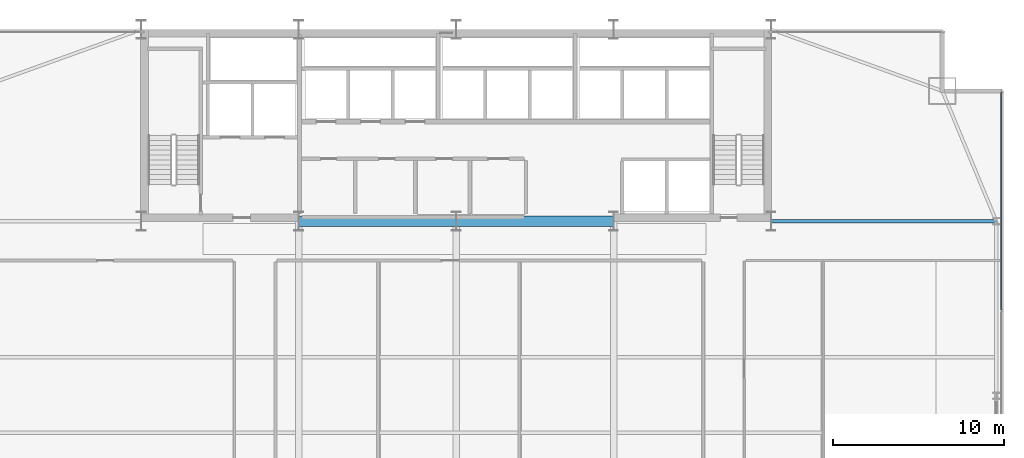
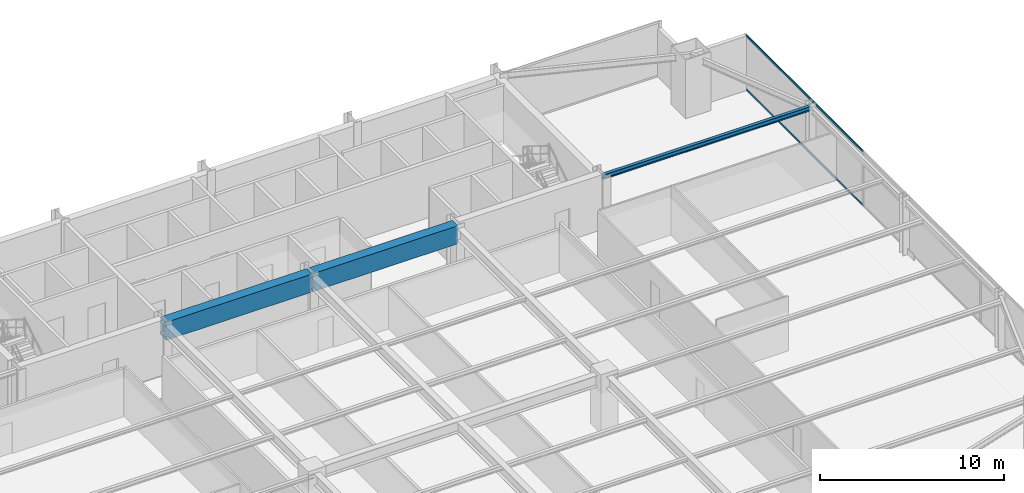
# One storey, part 21 of 31: 3 beams, 2 members, 1 element without a shape of its own.
"""IFC4 building model written with IfcOpenShell, lengths in metres."""

import ifcopenshell
import ifcopenshell.guid

model = None  # the IFC model being written
_history = None  # IfcOwnerHistory: only IFC2X3 demands one
_inside = {}  # id of a spatial element -> (the spatial element, [elements in it])
_under = {}  # id of a project, library or spatial element -> (it, [spatial elements below it])
_declared = {}  # id of a project -> (the project, [libraries it declares])
_typed = {}  # id of a type object -> (the type object, [elements of that type])
_made_of = {}  # id of a material, layer set ... -> (it, [elements and type objects made of it])


def new_model(schema):
    """Start an empty IFC model of exactly this schema.

    Asked for "IFC4X3", IfcOpenShell would pick the latest addendum, in which some entities
    have other attributes; the version numbers below select the first issue.
    IFC2X3 requires an IfcOwnerHistory on every rooted entity: one is made here for all.
    """
    global model, _history
    if schema == "IFC4X3":
        model = ifcopenshell.file(schema_version=(4, 3, 0, 0))
    else:
        model = ifcopenshell.file(schema=schema)
    _inside.clear()
    _under.clear()
    _declared.clear()
    _typed.clear()
    _made_of.clear()
    _history = None
    if model.schema == "IFC2X3":
        org = make("IfcOrganization", Name="unknown")
        user = make(
            "IfcPersonAndOrganization",
            ThePerson=make("IfcPerson", FamilyName="unknown"),
            TheOrganization=org,
        )
        app = make(
            "IfcApplication",
            ApplicationDeveloper=org,
            Version="unknown",
            ApplicationFullName="unknown",
            ApplicationIdentifier="unknown",
        )
        _history = make(
            "IfcOwnerHistory",
            OwningUser=user,
            OwningApplication=app,
            ChangeAction="ADDED",
            CreationDate=0,
        )
    return model


def make(cls, **values):
    """One entity of the class cls with the attributes given. An attribute that is None is left unset."""
    return model.create_entity(
        cls, **{name: value for name, value in values.items() if value is not None}
    )


def rooted(cls, **values):
    """An entity with a GlobalId (a new one), such as an element, a storey or a relation."""
    return make(cls, GlobalId=ifcopenshell.guid.new(), OwnerHistory=_history, **values)


def si_unit(unit_type, name, prefix=None):
    """IfcSIUnit, for example si_unit("LENGTHUNIT", "METRE", prefix="MILLI")."""
    return make("IfcSIUnit", UnitType=unit_type, Prefix=prefix, Name=name)


def assignment(units):
    """IfcUnitAssignment: the units of a project."""
    return None if units is None else make("IfcUnitAssignment", Units=units)


def point(xyz):
    """IfcCartesianPoint."""
    return None if xyz is None else make("IfcCartesianPoint", Coordinates=xyz)


def direction(xyz):
    """IfcDirection."""
    return None if xyz is None else make("IfcDirection", DirectionRatios=xyz)


def frame(location, z_axis=None, x_axis=None):
    """IfcAxis2Placement3D, a coordinate frame: its origin and axes. An axis left out is left unset."""
    return make(
        "IfcAxis2Placement3D",
        Location=point(location),
        Axis=direction(z_axis),
        RefDirection=direction(x_axis),
    )


def frame_2d(location, x_axis=None):
    """IfcAxis2Placement2D, a coordinate frame in the plane: its origin and x axis."""
    return make(
        "IfcAxis2Placement2D", Location=point(location), RefDirection=direction(x_axis)
    )


def origin():
    """The frame at (0, 0, 0) with its axes left unset."""
    return frame((0.0, 0.0, 0.0))


def origin_2d():
    """The frame at (0, 0) in the plane with its x axis left unset."""
    return frame_2d((0.0, 0.0))


def place(relative_to, where):
    """IfcLocalPlacement: puts the frame where relative to a parent placement (None: the world)."""
    return make(
        "IfcLocalPlacement", PlacementRelTo=relative_to, RelativePlacement=where
    )


def context(
    kind, dimensions, precision=None, world=None, true_north=None, identifier=None
):
    """IfcGeometricRepresentationContext, for example the 3D "Model" context."""
    return make(
        "IfcGeometricRepresentationContext",
        ContextIdentifier=identifier,
        ContextType=kind,
        CoordinateSpaceDimension=dimensions,
        Precision=precision,
        WorldCoordinateSystem=world,
        TrueNorth=true_north,
    )


def subcontext(parent, identifier, kind, view, scale=None):
    """IfcGeometricRepresentationSubContext, for example "Body" below "Model"."""
    return make(
        "IfcGeometricRepresentationSubContext",
        ContextIdentifier=identifier,
        ContextType=kind,
        ParentContext=parent,
        TargetScale=scale,
        TargetView=view,
    )


def project(units=None, contexts=None):
    """IfcProject with its units and contexts."""
    return rooted(
        "IfcProject",
        Name="project",
        RepresentationContexts=contexts,
        UnitsInContext=assignment(units),
    )


def spatial(cls, under=None, at=None, **own):
    """A site, building, storey or space (cls), placed at a placement, below another one or the project."""
    s = rooted(cls, ObjectPlacement=at, **own)
    if under is not None:
        _under.setdefault(under.id(), (under, []))[1].append(s)
    return s


def profile(cls, at=None, kind="AREA", **sizes):
    """A parametric profile (cls). Its sizes go by their IFC names, for example OverallWidth=200.0."""
    return make(cls, ProfileType=kind, Position=at, **sizes)


def rectangle(**sizes):
    """IfcRectangleProfileDef."""
    return profile("IfcRectangleProfileDef", **sizes)


def hollow_rectangle(**sizes):
    """IfcRectangleHollowProfileDef."""
    return profile("IfcRectangleHollowProfileDef", **sizes)


def i_section(**sizes):
    """IfcIShapeProfileDef."""
    return profile("IfcIShapeProfileDef", **sizes)


def extrude(swept, where, along, depth):
    """IfcExtrudedAreaSolid: the profile swept, set in the frame where, extruded along a direction by depth."""
    return make(
        "IfcExtrudedAreaSolid",
        SweptArea=swept,
        Position=where,
        ExtrudedDirection=direction(along),
        Depth=depth,
    )


def shape(context_of_items, identifier, shape_type, items):
    """IfcShapeRepresentation: the items that make up one representation, for example the "Body"."""
    return make(
        "IfcShapeRepresentation",
        ContextOfItems=context_of_items,
        RepresentationIdentifier=identifier,
        RepresentationType=shape_type,
        Items=items,
    )


def source(mapping_origin, context_of_items, identifier, shape_type, items):
    """IfcRepresentationMap: a shape defined once, which mapped items show again and again."""
    return make(
        "IfcRepresentationMap",
        MappingOrigin=mapping_origin,
        MappedRepresentation=shape(context_of_items, identifier, shape_type, items),
    )


def transform(
    local_origin,
    x_axis=None,
    y_axis=None,
    z_axis=None,
    scale=None,
    scale2=None,
    scale3=None,
    uniform=True,
):
    """IfcCartesianTransformationOperator3D, or its non-uniform kind. x_axis, y_axis, z_axis: its Axis1, 2, 3."""
    if uniform:
        return make(
            "IfcCartesianTransformationOperator3D",
            Axis1=direction(x_axis),
            Axis2=direction(y_axis),
            LocalOrigin=point(local_origin),
            Scale=scale,
            Axis3=direction(z_axis),
        )
    return make(
        "IfcCartesianTransformationOperator3DnonUniform",
        Axis1=direction(x_axis),
        Axis2=direction(y_axis),
        LocalOrigin=point(local_origin),
        Scale=scale,
        Axis3=direction(z_axis),
        Scale2=scale2,
        Scale3=scale3,
    )


def mapped(mapping_source, mapping_target):
    """IfcMappedItem: shows the shape of a source again, moved by a transform."""
    return make(
        "IfcMappedItem", MappingSource=mapping_source, MappingTarget=mapping_target
    )


def material(Name=None, Category=None):
    """IfcMaterial."""
    return make("IfcMaterial", Name=Name, Category=Category)


def layer(
    of_material, thickness, ventilated=None, Name=None, Category=None, Priority=None
):
    """IfcMaterialLayer: one layer of a wall or slab, of a material (None: an air gap)."""
    return make(
        "IfcMaterialLayer",
        Material=of_material,
        LayerThickness=thickness,
        IsVentilated=ventilated,
        Name=Name,
        Category=Category,
        Priority=Priority,
    )


def layer_set(layers, Name=None):
    """IfcMaterialLayerSet."""
    return make("IfcMaterialLayerSet", MaterialLayers=layers, LayerSetName=Name)


def material_profile(
    of_material, cross_section, Name=None, Category=None, Priority=None
):
    """IfcMaterialProfile: a cross section and its material."""
    return make(
        "IfcMaterialProfile",
        Name=Name,
        Material=of_material,
        Profile=cross_section,
        Priority=Priority,
        Category=Category,
    )


def profile_set(profiles, Name=None, composite=None):
    """IfcMaterialProfileSet."""
    return make(
        "IfcMaterialProfileSet",
        Name=Name,
        MaterialProfiles=profiles,
        CompositeProfile=composite,
    )


def made_of(thing, what):
    """Note that an element or type object is made of a material, layer set ...; save() writes the relation."""
    if what is not None:
        _made_of.setdefault(what.id(), (what, []))[1].append(thing)
    return thing


def type_object(cls, material=None, **own):
    """A type object (cls), such as IfcWallType, which elements share."""
    return made_of(rooted(cls, **own), material)


def type_shapes(of_type, sources):
    """Give a type object the sources (RepresentationMaps) that its elements show as mapped items."""
    of_type.RepresentationMaps = sources


def element(
    cls,
    number,
    at=None,
    inside=None,
    cuts=None,
    type_object=None,
    material=None,
    context=None,
    identifier="Body",
    shape_type=None,
    held_by="IfcProductDefinitionShape",
    body=None,
    shapes=None,
    **own,
):
    """One element of the class cls, such as IfcWall. Its Tag is "e" and its number.

    at: its placement. inside: the storey or other place that contains it. cuts: it is an
    opening in that element (IfcRelVoidsElement). A single representation is given by context,
    identifier, shape_type and body (its items); several are given by shapes. held_by: the class
    of the entity that holds the representations. save() writes the other relations.
    """
    e = rooted(cls, Tag="e%d" % number, ObjectPlacement=at, **own)
    if body is not None:
        shapes = [shape(context, identifier, shape_type, body)]
    if shapes is not None:
        e.Representation = make(held_by, Representations=shapes)
    if inside is not None:
        _inside.setdefault(inside.id(), (inside, []))[1].append(e)
    if cuts is not None:
        rooted(
            "IfcRelVoidsElement", RelatingBuildingElement=cuts, RelatedOpeningElement=e
        )
    if type_object is not None:
        _typed.setdefault(type_object.id(), (type_object, []))[1].append(e)
    return made_of(e, material)


def aggregate(whole, parts):
    """IfcRelAggregates: a whole, such as a stair, and the parts it consists of."""
    return rooted("IfcRelAggregates", RelatingObject=whole, RelatedObjects=parts)


def save(model, path):
    """Write the relations noted so far, then the file.

    IfcRelAggregates (storeys below a building ...), IfcRelContainedInSpatialStructure (elements
    in a storey), IfcRelDefinesByType, IfcRelAssociatesMaterial and IfcRelDeclares: one each for
    every whole, place, type object, material and project.
    """
    for whole, parts in _under.values():
        aggregate(whole, parts)
    for where, things in _inside.values():
        rooted(
            "IfcRelContainedInSpatialStructure",
            RelatedElements=things,
            RelatingStructure=where,
        )
    for kind, things in _typed.values():
        rooted("IfcRelDefinesByType", RelatedObjects=things, RelatingType=kind)
    for what, things in _made_of.values():
        rooted("IfcRelAssociatesMaterial", RelatedObjects=things, RelatingMaterial=what)
    for by, libraries in _declared.values():
        rooted("IfcRelDeclares", RelatingContext=by, RelatedDefinitions=libraries)
    model.write(path)


model = new_model("IFC4")

# Units and contexts
model_context = context("Model", 3, precision=1e-05, world=origin(), true_north=direction((0.0, 1.0)))
body_context = subcontext(model_context, "Body", "Model", "MODEL_VIEW")
ifc_project = project(units=[si_unit("LENGTHUNIT", "METRE"), si_unit("AREAUNIT", "SQUARE_METRE"), si_unit("VOLUMEUNIT", "CUBIC_METRE"), si_unit("PLANEANGLEUNIT", "RADIAN"), si_unit("MASSUNIT", "GRAM", prefix="KILO")], contexts=[model_context])

# Site, building, storey
site_placement = place(None, origin())
site = spatial("IfcSite", under=ifc_project, at=site_placement, CompositionType="ELEMENT")
building_placement = place(site_placement, origin())
building = spatial("IfcBuilding", under=site, at=building_placement, Name="Varnel Quay Broadcast Tower", CompositionType="ELEMENT")
storey_placement = place(building_placement, frame((0.0, 0.0, 35.39990234375)))
storey = spatial("IfcBuildingStorey", under=building, at=storey_placement, Name="L07", CompositionType="ELEMENT", Elevation=35.39990234375)

# Beams
ifc_material_1 = material(Name="Concrete CSA A23.3 C60/75", Category="concrete")
ifc_material_profile_1 = material_profile(ifc_material_1, rectangle(XDim=0.60009765625, YDim=1.199951171875, at=origin_2d()), Name="RC600X1200")
ifc_profile_set_1 = profile_set([ifc_material_profile_1], Name="Concrete CSA A23.3 C60/75")
beam_type_1 = type_object("IfcBeamType", Name="Beam_RC600X1200", PredefinedType="BEAM", material=ifc_profile_set_1)
shared_shape_1 = source(origin(), body_context, "Body", "SweptSolid", [
    extrude(rectangle(XDim=0.60009765625, YDim=1.199951171875, at=origin_2d()), origin(), (0.0, 0.0, 1.0), 9.159912109375),
])
type_shapes(beam_type_1, [shared_shape_1])
for number, where, z_axis, x_axis, name in (
    (1, (24.820068359375, 35.60009765625, 3.050048828125), (1.0, 0.0, 0.0), (0.0, 1.0, 0.0), "L07 Core Coupling Beam W"),
    (2, (34.02001953125, 35.60009765625, 3.050048828125), (1.0, 0.0, 0.0), (0.0, 1.0, 0.0), "L07 Core Coupling Beam E"),
):
    element("IfcBeam", number, at=place(storey_placement, frame(where, z_axis=z_axis, x_axis=x_axis)), inside=storey, type_object=beam_type_1, Name=name, PredefinedType="BEAM", context=body_context, shape_type="MappedRepresentation", body=[
        mapped(shared_shape_1, transform((0.0, 0.0, 0.0), x_axis=(1.0, 0.0, 0.0), y_axis=(0.0, 1.0, 0.0), z_axis=(0.0, 0.0, 1.0), scale=1.0)),
    ])
ifc_material_2 = material(Name="Structural Steel CSA G40.21 350W", Category="steel")
ifc_material_profile_2 = material_profile(ifc_material_2, i_section(OverallWidth=0.202880859375, OverallDepth=0.302978515625, WebThickness=0.007568359375, FlangeThickness=0.01318359375, FilletRadius=0.011962890625, at=origin_2d()), Name="W310X60")
ifc_profile_set_2 = profile_set([ifc_material_profile_2], Name="Structural Steel CSA G40.21 350W")
beam_type_2 = type_object("IfcBeamType", Name="Beam_W310X60", PredefinedType="JOIST", material=ifc_profile_set_2)
shared_shape_2 = source(origin(), body_context, "Body", "SweptSolid", [
    extrude(i_section(OverallWidth=0.202880859375, OverallDepth=0.302978515625, WebThickness=0.007568359375, FlangeThickness=0.01318359375, FilletRadius=0.011962890625, at=origin_2d()), origin(), (0.0, 0.0, 1.0), 13.110107421875),
])
type_shapes(beam_type_2, [shared_shape_2])
beam_placement = place(storey_placement, frame((52.419921875, 35.60009765625, 3.49853515625), z_axis=(1.0, 0.0, 0.0), x_axis=(0.0, 1.0, 0.0)))
element("IfcBeam", 3, at=beam_placement, inside=storey, type_object=beam_type_2, Name="L07 East Core Tie Joist", PredefinedType="JOIST", context=body_context, shape_type="MappedRepresentation", body=[
    mapped(shared_shape_2, transform((0.0, 0.0, 0.0), x_axis=(1.0, 0.0, 0.0), y_axis=(0.0, 1.0, 0.0), z_axis=(0.0, 0.0, 1.0), scale=1.0)),
])

# Curtain wall, members
ifc_material_3 = material(Name="Anodised Bronze Aluminium 6063-T6", Category="aluminium")
ifc_layer = layer(ifc_material_3, 0.18994140625, Name="Anodised Bronze Aluminium 6063-T6")
ifc_layer_set = layer_set([ifc_layer], Name="Anodised Bronze Aluminium 6063-T6")
curtain_wall_type = type_object("IfcCurtainWallType", Name="CW_LowerTower", PredefinedType="NOTDEFINED", material=ifc_layer_set)
curtain_wall_placement = place(storey_placement, origin())
curtain_wall = element("IfcCurtainWall", 4, at=curtain_wall_placement, inside=storey, type_object=curtain_wall_type, Name="L07 East Unitised Curtain Wall", PredefinedType="NOTDEFINED")
ifc_material_profile_3 = material_profile(ifc_material_3, hollow_rectangle(XDim=0.06005859375, YDim=0.14501953125, WallThickness=0.00341796875, at=origin_2d()), Name="ALU60X145X3.5")
ifc_profile_set_3 = profile_set([ifc_material_profile_3], Name="Anodised Bronze Aluminium 6063-T6")
member_type = type_object("IfcMemberType", Name="Tran_CWS-02", PredefinedType="USERDEFINED", material=ifc_profile_set_3)
shared_shape_3 = source(origin(), body_context, "Body", "SweptSolid", [
    extrude(hollow_rectangle(XDim=0.06005859375, YDim=0.14501953125, WallThickness=0.00341796875, at=origin_2d()), origin(), (0.0, 0.0, 1.0), 12.69482421875),
])
type_shapes(member_type, [shared_shape_3])
member_1_placement = place(storey_placement, frame((65.85009765625, 30.43505859375, 0.030029296875), z_axis=(0.0, 1.0, 0.0), x_axis=(-1.0, 0.0, 0.0)))
member_1 = element("IfcMember", 5, at=member_1_placement, type_object=member_type, Name="CWS-02 transom 3.1", ObjectType="TRANSOM", PredefinedType="USERDEFINED", context=body_context, shape_type="MappedRepresentation", body=[
    mapped(shared_shape_3, transform((0.0, 0.0, 0.0), x_axis=(1.0, 0.0, 0.0), y_axis=(0.0, 1.0, 0.0), z_axis=(0.0, 0.0, 1.0), scale=1.0)),
])
member_2_placement = place(storey_placement, frame((65.85009765625, 30.43505859375, 3.6201171875), z_axis=(0.0, 1.0, 0.0), x_axis=(-1.0, 0.0, 0.0)))
member_2 = element("IfcMember", 6, at=member_2_placement, type_object=member_type, Name="CWS-02 transom 3.2", ObjectType="TRANSOM", PredefinedType="USERDEFINED", context=body_context, shape_type="MappedRepresentation", body=[
    mapped(shared_shape_3, transform((0.0, 0.0, 0.0), x_axis=(1.0, 0.0, 0.0), y_axis=(0.0, 1.0, 0.0), z_axis=(0.0, 0.0, 1.0), scale=1.0)),
])
aggregate(curtain_wall, [member_1, member_2])

save(model, "model.ifc")
